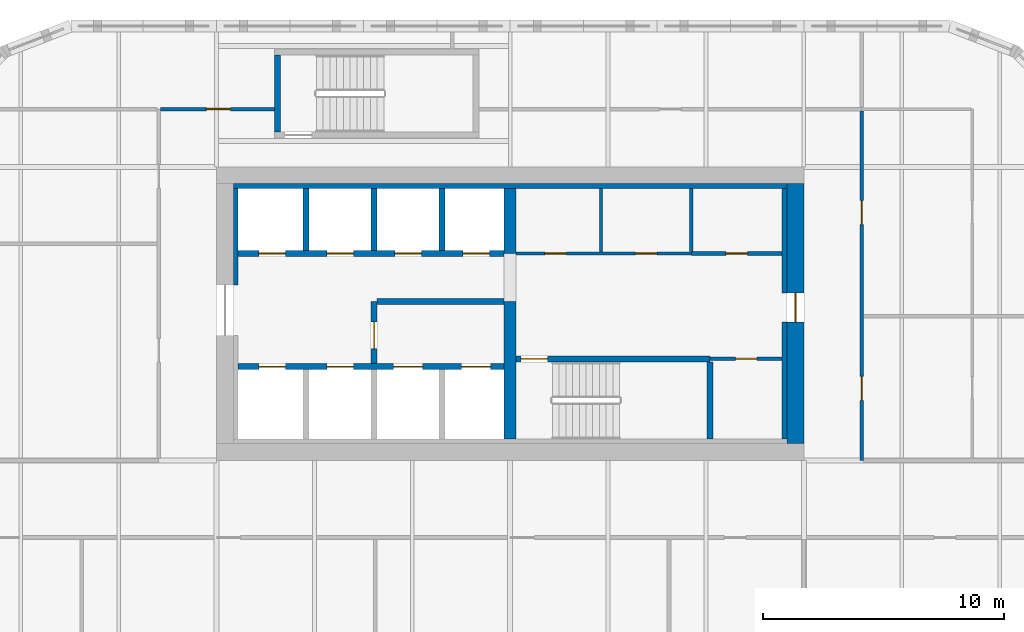
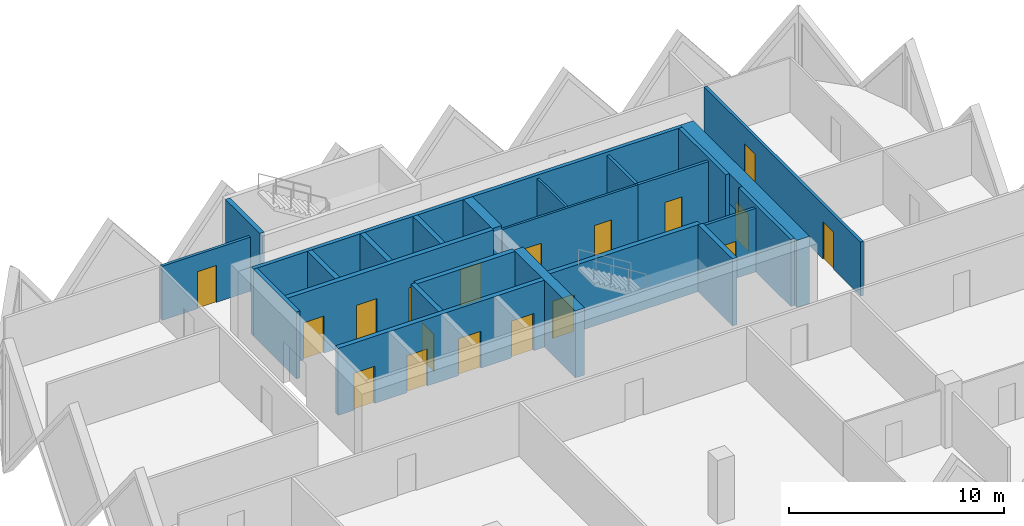
# One storey, part 13 of 18: 24 walls, 18 doors, 18 openings.
"""IFC4 building model written with IfcOpenShell, lengths in metres."""

from ifc_helpers import new_model, si_unit, direction, frame, frame_2d, origin, place, context, subcontext, project, spatial, rectangle, extrude, source, transform, mapped, material, layer, layer_set, type_object, element, fill, save


model = new_model("IFC4")

# Units and contexts
model_context = context("Model", 3, precision=1e-05, world=origin(), true_north=direction((0.0, 1.0)))
body_context = subcontext(model_context, "Body", "Model", "MODEL_VIEW")
ifc_project = project(units=[si_unit("LENGTHUNIT", "METRE"), si_unit("AREAUNIT", "SQUARE_METRE"), si_unit("VOLUMEUNIT", "CUBIC_METRE"), si_unit("PLANEANGLEUNIT", "RADIAN"), si_unit("MASSUNIT", "GRAM", prefix="KILO")], contexts=[model_context])

# Site, building, storey
site_placement = place(None, origin())
site = spatial("IfcSite", under=ifc_project, at=site_placement, CompositionType="ELEMENT")
building_placement = place(site_placement, origin())
building = spatial("IfcBuilding", under=site, at=building_placement, Name="Tessera Gate Towers", CompositionType="ELEMENT")
storey_placement = place(building_placement, frame((0.0, 0.0, 37.199951171875)))
storey = spatial("IfcBuildingStorey", under=building, at=storey_placement, Name="L08", CompositionType="ELEMENT", Elevation=37.199951171875)

# Wall, openings, doors
ifc_material_1 = material(Name="Concrete C40/50", Category="concrete")
ifc_layer_1 = layer(ifc_material_1, 0.25)
ifc_layer_set_1 = layer_set([ifc_layer_1], Name="CORE ENCLOSURE WALL 250")
wall_type_1 = type_object("IfcWallType", Name="CORE ENCLOSURE WALL 250", PredefinedType="SOLIDWALL", material=ifc_layer_set_1)
wall_1_placement = place(storey_placement, frame((98.5, 40.5, 0.0), z_axis=(0.0, 0.0, 1.0), x_axis=(1.0, 0.0, 0.0)))
wall_1 = element("IfcWall", 1, at=wall_1_placement, inside=storey, type_object=wall_type_1, Name="L08 shaft and stair enclosure wall", PredefinedType="SOLIDWALL", context=body_context, shape_type="SweptSolid", body=[
    extrude(rectangle(XDim=11.050048828125, YDim=0.25, at=frame_2d((5.52490234375, 0.0))), origin(), (0.0, 0.0, 1.0), 3.800048828125),
])
shared_shape_1 = source(origin(), body_context, "Body", "SweptSolid", [
    extrude(rectangle(XDim=1.10009765625, YDim=2.10009765625, at=frame_2d((0.550048828125, 1.050048828125))), frame((0.0, 0.135009765625, 0.0), z_axis=(0.0, -1.0, 0.0), x_axis=(1.0, 0.0, 0.0)), (0.0, 0.0, 1.0), 0.27001953125),
])
opening_1_placement = place(wall_1_placement, frame((0.862548828125, 0.0, 0.0)))
opening_1 = element("IfcOpeningElement", 2, at=opening_1_placement, cuts=wall_1, Name="Opening LD-TL1", PredefinedType="OPENING", context=body_context, shape_type="MappedRepresentation", body=[
    mapped(shared_shape_1, transform((0.0, 0.0, 0.0), scale=1.0)),
])
opening_2_placement = place(wall_1_placement, frame((3.6875, 0.0, 0.0)))
opening_2 = element("IfcOpeningElement", 3, at=opening_2_placement, cuts=wall_1, Name="Opening LD-TL2", PredefinedType="OPENING", context=body_context, shape_type="MappedRepresentation", body=[
    mapped(shared_shape_1, transform((0.0, 0.0, 0.0), scale=1.0)),
])
shared_shape_2 = source(origin(), body_context, "Body", "SweptSolid", [
    extrude(rectangle(XDim=1.199951171875, YDim=2.10009765625, at=frame_2d((0.60009765625, 1.050048828125))), frame((0.0, 0.135009765625, 0.0), z_axis=(0.0, -1.0, 0.0), x_axis=(1.0, 0.0, 0.0)), (0.0, 0.0, 1.0), 0.27001953125),
])
opening_3_placement = place(wall_1_placement, frame((6.46240234375, 0.0, 0.0)))
opening_3 = element("IfcOpeningElement", 4, at=opening_3_placement, cuts=wall_1, Name="Opening LD-FF3", PredefinedType="OPENING", context=body_context, shape_type="MappedRepresentation", body=[
    mapped(shared_shape_2, transform((0.0, 0.0, 0.0), scale=1.0)),
])
opening_4_placement = place(wall_1_placement, frame((9.28759765625, 0.0, 0.0)))
opening_4 = element("IfcOpeningElement", 5, at=opening_4_placement, cuts=wall_1, Name="Opening LD-FF4", PredefinedType="OPENING", context=body_context, shape_type="MappedRepresentation", body=[
    mapped(shared_shape_2, transform((0.0, 0.0, 0.0), scale=1.0)),
])
ifc_material_2 = material(Name="Stainless steel", Category="steel")
door_type_1 = type_object("IfcDoorType", Name="CORE DOOR LD1200 1200x2100", OperationType="DOUBLE_DOOR_SLIDING", PredefinedType="DOOR", material=ifc_material_2)
shared_shape_3 = source(origin(), body_context, "Body", "SweptSolid", [
    extrude(rectangle(XDim=1.199951171875, YDim=2.10009765625, at=frame_2d((0.60009765625, 1.050048828125))), frame((0.0, 0.02490234375, 0.0), z_axis=(0.0, -1.0, 0.0), x_axis=(1.0, 0.0, 0.0)), (0.0, 0.0, 1.0), 0.050048828125),
])
door_1_placement = place(opening_3_placement, origin())
door_1 = element("IfcDoor", 6, at=door_1_placement, inside=storey, type_object=door_type_1, Name="Landing door FF3 L08", OperationType="DOUBLE_DOOR_SLIDING", OverallHeight=2.10009765625, OverallWidth=1.199951171875, PredefinedType="DOOR", context=body_context, shape_type="MappedRepresentation", body=[
    mapped(shared_shape_3, transform((0.0, 0.0, 0.0), scale=1.0)),
])
fill(opening_3, door_1)
door_2_placement = place(opening_4_placement, origin())
door_2 = element("IfcDoor", 7, at=door_2_placement, inside=storey, type_object=door_type_1, Name="Landing door FF4 L08", OperationType="DOUBLE_DOOR_SLIDING", OverallHeight=2.10009765625, OverallWidth=1.199951171875, PredefinedType="DOOR", context=body_context, shape_type="MappedRepresentation", body=[
    mapped(shared_shape_3, transform((0.0, 0.0, 0.0), scale=1.0)),
])
fill(opening_4, door_2)
ifc_material_3 = material(Name="Stainless steel", Category="steel")
door_type_2 = type_object("IfcDoorType", Name="CORE DOOR LD 1100x2100", OperationType="DOUBLE_DOOR_SLIDING", PredefinedType="DOOR", material=ifc_material_3)
shared_shape_4 = source(origin(), body_context, "Body", "SweptSolid", [
    extrude(rectangle(XDim=1.10009765625, YDim=2.10009765625, at=frame_2d((0.550048828125, 1.050048828125))), frame((0.0, 0.02490234375, 0.0), z_axis=(0.0, -1.0, 0.0), x_axis=(1.0, 0.0, 0.0)), (0.0, 0.0, 1.0), 0.050048828125),
])
door_3_placement = place(opening_1_placement, origin())
door_3 = element("IfcDoor", 8, at=door_3_placement, inside=storey, type_object=door_type_2, Name="Landing door TL1 L08", OperationType="DOUBLE_DOOR_SLIDING", OverallHeight=2.10009765625, OverallWidth=1.10009765625, PredefinedType="DOOR", context=body_context, shape_type="MappedRepresentation", body=[
    mapped(shared_shape_4, transform((0.0, 0.0, 0.0), scale=1.0)),
])
fill(opening_1, door_3)
door_4_placement = place(opening_2_placement, origin())
door_4 = element("IfcDoor", 9, at=door_4_placement, inside=storey, type_object=door_type_2, Name="Landing door TL2 L08", OperationType="DOUBLE_DOOR_SLIDING", OverallHeight=2.10009765625, OverallWidth=1.10009765625, PredefinedType="DOOR", context=body_context, shape_type="MappedRepresentation", body=[
    mapped(shared_shape_4, transform((0.0, 0.0, 0.0), scale=1.0)),
])
fill(opening_2, door_4)

wall_2_placement = place(storey_placement, frame((109.550048828125, 45.199951171875, 0.0), z_axis=(0.0, 0.0, 1.0), x_axis=(-1.0, 0.0, 0.0)))
wall_2 = element("IfcWall", 10, at=wall_2_placement, inside=storey, type_object=wall_type_1, Name="L08 shaft and stair enclosure wall", PredefinedType="SOLIDWALL", context=body_context, shape_type="SweptSolid", body=[
    extrude(rectangle(XDim=11.050048828125, YDim=0.25, at=frame_2d((5.52490234375, 0.0))), origin(), (0.0, 0.0, 1.0), 3.800048828125),
])
opening_5_placement = place(wall_2_placement, frame((9.08740234375, 0.0, 0.0)))
opening_5 = element("IfcOpeningElement", 11, at=opening_5_placement, cuts=wall_2, Name="Opening LD-TL3", PredefinedType="OPENING", context=body_context, shape_type="MappedRepresentation", body=[
    mapped(shared_shape_1, transform((0.0, 0.0, 0.0), scale=1.0)),
])
opening_6_placement = place(wall_2_placement, frame((6.262451171875, 0.0, 0.0)))
opening_6 = element("IfcOpeningElement", 12, at=opening_6_placement, cuts=wall_2, Name="Opening LD-TL4", PredefinedType="OPENING", context=body_context, shape_type="MappedRepresentation", body=[
    mapped(shared_shape_1, transform((0.0, 0.0, 0.0), scale=1.0)),
])
opening_7_placement = place(wall_2_placement, frame((3.4375, 0.0, 0.0)))
opening_7 = element("IfcOpeningElement", 13, at=opening_7_placement, cuts=wall_2, Name="Opening LD-TL5", PredefinedType="OPENING", context=body_context, shape_type="MappedRepresentation", body=[
    mapped(shared_shape_1, transform((0.0, 0.0, 0.0), scale=1.0)),
])
opening_8_placement = place(wall_2_placement, frame((0.612548828125, 0.0, 0.0)))
opening_8 = element("IfcOpeningElement", 14, at=opening_8_placement, cuts=wall_2, Name="Opening LD-TL6", PredefinedType="OPENING", context=body_context, shape_type="MappedRepresentation", body=[
    mapped(shared_shape_1, transform((0.0, 0.0, 0.0), scale=1.0)),
])
door_5_placement = place(opening_5_placement, origin())
door_5 = element("IfcDoor", 15, at=door_5_placement, inside=storey, type_object=door_type_2, Name="Landing door TL3 L08", OperationType="DOUBLE_DOOR_SLIDING", OverallHeight=2.10009765625, OverallWidth=1.10009765625, PredefinedType="DOOR", context=body_context, shape_type="MappedRepresentation", body=[
    mapped(shared_shape_4, transform((0.0, 0.0, 0.0), scale=1.0)),
])
fill(opening_5, door_5)
door_6_placement = place(opening_6_placement, origin())
door_6 = element("IfcDoor", 16, at=door_6_placement, inside=storey, type_object=door_type_2, Name="Landing door TL4 L08", OperationType="DOUBLE_DOOR_SLIDING", OverallHeight=2.10009765625, OverallWidth=1.10009765625, PredefinedType="DOOR", context=body_context, shape_type="MappedRepresentation", body=[
    mapped(shared_shape_4, transform((0.0, 0.0, 0.0), scale=1.0)),
])
fill(opening_6, door_6)
door_7_placement = place(opening_7_placement, origin())
door_7 = element("IfcDoor", 17, at=door_7_placement, inside=storey, type_object=door_type_2, Name="Landing door TL5 L08", OperationType="DOUBLE_DOOR_SLIDING", OverallHeight=2.10009765625, OverallWidth=1.10009765625, PredefinedType="DOOR", context=body_context, shape_type="MappedRepresentation", body=[
    mapped(shared_shape_4, transform((0.0, 0.0, 0.0), scale=1.0)),
])
fill(opening_7, door_7)
door_8_placement = place(opening_8_placement, origin())
door_8 = element("IfcDoor", 18, at=door_8_placement, inside=storey, type_object=door_type_2, Name="Landing door TL6 L08", OperationType="DOUBLE_DOOR_SLIDING", OverallHeight=2.10009765625, OverallWidth=1.10009765625, PredefinedType="DOOR", context=body_context, shape_type="MappedRepresentation", body=[
    mapped(shared_shape_4, transform((0.0, 0.0, 0.0), scale=1.0)),
])
fill(opening_8, door_8)

# Wall, opening, door
wall_3_placement = place(storey_placement, frame((118.10009765625, 40.824951171875, 0.0), z_axis=(0.0, 0.0, 1.0), x_axis=(-1.0, 0.0, 0.0)))
wall_3 = element("IfcWall", 19, at=wall_3_placement, inside=storey, type_object=wall_type_1, Name="L08 shaft and stair enclosure wall", PredefinedType="SOLIDWALL", context=body_context, shape_type="SweptSolid", body=[
    extrude(rectangle(XDim=8.050048828125, YDim=0.25, at=frame_2d((4.02490234375, 0.0))), origin(), (0.0, 0.0, 1.0), 3.800048828125),
])
opening_9_placement = place(wall_3_placement, frame((6.75, 0.0, 0.0)))
opening_9 = element("IfcOpeningElement", 20, at=opening_9_placement, cuts=wall_3, Name="Opening SD-ST6-1", PredefinedType="OPENING", context=body_context, shape_type="MappedRepresentation", body=[
    mapped(shared_shape_1, transform((0.0, 0.0, 0.0), scale=1.0)),
])
ifc_material_4 = material(Name="Hollow steel fire door", Category="steel")
door_type_3 = type_object("IfcDoorType", Name="CORE DOOR SD1100 1100x2100", OperationType="NOTDEFINED", PredefinedType="DOOR", material=ifc_material_4)
door_9_placement = place(opening_9_placement, origin())
door_9 = element("IfcDoor", 21, at=door_9_placement, inside=storey, type_object=door_type_3, Name="Stair door", OperationType="SINGLE_SWING_RIGHT", OverallHeight=2.10009765625, OverallWidth=1.10009765625, PredefinedType="DOOR", context=body_context, shape_type="MappedRepresentation", body=[
    mapped(shared_shape_4, transform((0.0, 0.0, 0.0), scale=1.0)),
])
fill(opening_9, door_9)

wall_4_placement = place(storey_placement, frame((104.14990234375, 43.199951171875, 0.0), z_axis=(0.0, 0.0, 1.0), x_axis=(0.0, -1.0, 0.0)))
wall_4 = element("IfcWall", 22, at=wall_4_placement, inside=storey, type_object=wall_type_1, Name="L08 shaft and stair enclosure wall", PredefinedType="SOLIDWALL", context=body_context, shape_type="SweptSolid", body=[
    extrude(rectangle(XDim=2.574951171875, YDim=0.25, at=frame_2d((1.28759765625, 0.0))), origin(), (0.0, 0.0, 1.0), 3.800048828125),
])
opening_10_placement = place(wall_4_placement, frame((0.85009765625, 0.0, 0.0)))
opening_10 = element("IfcOpeningElement", 23, at=opening_10_placement, cuts=wall_4, Name="Opening FD-T2-07-03", PredefinedType="OPENING", context=body_context, shape_type="MappedRepresentation", body=[
    mapped(shared_shape_1, transform((0.0, 0.0, 0.0), scale=1.0)),
])
ifc_material_5 = material(Name="Hollow steel fire door", Category="steel")
door_type_4 = type_object("IfcDoorType", Name="CORE DOOR FD 1100x2100", OperationType="NOTDEFINED", PredefinedType="DOOR", material=ifc_material_5)
door_10_placement = place(opening_10_placement, origin())
door_10 = element("IfcDoor", 24, at=door_10_placement, inside=storey, type_object=door_type_4, Name="Fire-fighting lobby door", OperationType="SINGLE_SWING_RIGHT", OverallHeight=2.10009765625, OverallWidth=1.10009765625, PredefinedType="DOOR", context=body_context, shape_type="MappedRepresentation", body=[
    mapped(shared_shape_4, transform((0.0, 0.0, 0.0), scale=1.0)),
])
fill(opening_10, door_10)

# Walls
wall_5_placement = place(storey_placement, frame((104.27490234375, 43.199951171875, 0.0), z_axis=(0.0, 0.0, 1.0), x_axis=(1.0, 0.0, 0.0)))
element("IfcWall", 25, at=wall_5_placement, inside=storey, type_object=wall_type_1, Name="L08 shaft and stair enclosure wall", PredefinedType="SOLIDWALL", context=body_context, shape_type="SweptSolid", body=[
    extrude(rectangle(XDim=5.275146484375, YDim=0.25, at=frame_2d((2.6376953125, 0.0))), origin(), (0.0, 0.0, 1.0), 3.800048828125),
])
wall_6_placement = place(storey_placement, frame((118.10009765625, 37.5, 0.0), z_axis=(0.0, 0.0, 1.0), x_axis=(0.0, 1.0, 0.0)))
element("IfcWall", 26, at=wall_6_placement, inside=storey, type_object=wall_type_1, Name="L08 shaft and stair enclosure wall", PredefinedType="SOLIDWALL", context=body_context, shape_type="SweptSolid", body=[
    extrude(rectangle(XDim=3.199951171875, YDim=0.25, at=frame_2d((1.60009765625, 0.0))), origin(), (0.0, 0.0, 1.0), 3.800048828125),
])
for number, where, z_axis, x_axis, name in (
    (27, (101.324951171875, 45.324951171875, 0.0), (0.0, 0.0, 1.0), (0.0, 1.0, 0.0), "L08 shaft and stair enclosure wall"),
    (28, (104.14990234375, 45.324951171875, 0.0), (0.0, 0.0, 1.0), (0.0, 1.0, 0.0), "L08 shaft and stair enclosure wall"),
    (29, (106.97509765625, 45.324951171875, 0.0), (0.0, 0.0, 1.0), (0.0, 1.0, 0.0), "L08 shaft and stair enclosure wall"),
):
    element("IfcWall", number, at=place(storey_placement, frame(where, z_axis=z_axis, x_axis=x_axis)), inside=storey, type_object=wall_type_1, Name=name, PredefinedType="SOLIDWALL", context=body_context, shape_type="SweptSolid", body=[
        extrude(rectangle(XDim=2.574951171875, YDim=0.25, at=frame_2d((1.28759765625, 0.0))), origin(), (0.0, 0.0, 1.0), 3.800048828125),
    ])
wall_7_placement = place(storey_placement, frame((100.125, 50.25, 0.0), z_axis=(0.0, 0.0, 1.0), x_axis=(0.0, 1.0, 0.0)))
element("IfcWall", 30, at=wall_7_placement, inside=storey, type_object=wall_type_1, Name="L08 ST7 enclosure wall", PredefinedType="SOLIDWALL", context=body_context, shape_type="SweptSolid", body=[
    extrude(rectangle(XDim=3.199951171875, YDim=0.25, at=frame_2d((1.60009765625, 0.0))), origin(), (0.0, 0.0, 1.0), 3.800048828125),
])

# Wall, openings, doors
ifc_material_6 = material(Name="Gypsum board on steel studs", Category="steel")
ifc_layer_2 = layer(ifc_material_6, 0.1201171875)
ifc_layer_set_2 = layer_set([ifc_layer_2], Name="CORE PARTITION 120")
wall_type_2 = type_object("IfcWallType", Name="CORE PARTITION 120", PredefinedType="PARTITIONING", material=ifc_layer_set_2)
wall_8_placement = place(storey_placement, frame((110.050048828125, 45.199951171875, 0.0), z_axis=(0.0, 0.0, 1.0), x_axis=(1.0, 0.0, 0.0)))
wall_8 = element("IfcWall", 31, at=wall_8_placement, inside=storey, type_object=wall_type_2, Name="L08 core partition", PredefinedType="PARTITIONING", context=body_context, shape_type="SweptSolid", body=[
    extrude(rectangle(XDim=7.27490234375, YDim=0.1201171875, at=frame_2d((3.637451171875, 0.0))), origin(), (0.0, 0.0, 1.0), 3.60009765625),
])
shared_shape_5 = source(origin(), body_context, "Body", "SweptSolid", [
    extrude(rectangle(XDim=0.89990234375, YDim=2.10009765625, at=frame_2d((0.449951171875, 1.050048828125))), frame((0.0, 0.070068359375, 0.0), z_axis=(0.0, -1.0, 0.0), x_axis=(1.0, 0.0, 0.0)), (0.0, 0.0, 1.0), 0.14013671875),
])
opening_11_placement = place(wall_8_placement, frame((1.1875, 0.0, 0.0)))
opening_11 = element("IfcOpeningElement", 32, at=opening_11_placement, cuts=wall_8, Name="Opening RD-T2-07-04", PredefinedType="OPENING", context=body_context, shape_type="MappedRepresentation", body=[
    mapped(shared_shape_5, transform((0.0, 0.0, 0.0), scale=1.0)),
])
opening_12_placement = place(wall_8_placement, frame((4.949951171875, 0.0, 0.0)))
opening_12 = element("IfcOpeningElement", 33, at=opening_12_placement, cuts=wall_8, Name="Opening RD-T2-07-05", PredefinedType="OPENING", context=body_context, shape_type="MappedRepresentation", body=[
    mapped(shared_shape_5, transform((0.0, 0.0, 0.0), scale=1.0)),
])
ifc_material_7 = material(Name="Hollow steel fire door", Category="steel")
door_type_5 = type_object("IfcDoorType", Name="CORE DOOR RD 900x2100", OperationType="NOTDEFINED", PredefinedType="DOOR", material=ifc_material_7)
shared_shape_6 = source(origin(), body_context, "Body", "SweptSolid", [
    extrude(rectangle(XDim=0.89990234375, YDim=2.10009765625, at=frame_2d((0.449951171875, 1.050048828125))), frame((0.0, 0.02490234375, 0.0), z_axis=(0.0, -1.0, 0.0), x_axis=(1.0, 0.0, 0.0)), (0.0, 0.0, 1.0), 0.050048828125),
])
door_11_placement = place(opening_11_placement, origin())
door_11 = element("IfcDoor", 34, at=door_11_placement, inside=storey, type_object=door_type_5, Name="Core room door", OperationType="SINGLE_SWING_LEFT", OverallHeight=2.10009765625, OverallWidth=0.89990234375, PredefinedType="DOOR", context=body_context, shape_type="MappedRepresentation", body=[
    mapped(shared_shape_6, transform((0.0, 0.0, 0.0), scale=1.0)),
])
fill(opening_11, door_11)
door_12_placement = place(opening_12_placement, origin())
door_12 = element("IfcDoor", 35, at=door_12_placement, inside=storey, type_object=door_type_5, Name="Core room door", OperationType="SINGLE_SWING_RIGHT", OverallHeight=2.10009765625, OverallWidth=0.89990234375, PredefinedType="DOOR", context=body_context, shape_type="MappedRepresentation", body=[
    mapped(shared_shape_6, transform((0.0, 0.0, 0.0), scale=1.0)),
])
fill(opening_12, door_12)

# Wall
wall_9_placement = place(storey_placement, frame((113.574951171875, 45.260009765625, 0.0), z_axis=(0.0, 0.0, 1.0), x_axis=(0.0, 1.0, 0.0)))
element("IfcWall", 36, at=wall_9_placement, inside=storey, type_object=wall_type_2, Name="L08 core partition", PredefinedType="PARTITIONING", context=body_context, shape_type="SweptSolid", body=[
    extrude(rectangle(XDim=2.639892578125, YDim=0.1201171875, at=frame_2d((1.31982421875, 0.0))), origin(), (0.0, 0.0, 1.0), 3.60009765625),
])

# Wall, opening, door
ifc_material_8 = material(Name="Concrete C60/75", Category="concrete")
ifc_layer_3 = layer(ifc_material_8, 0.699951171875)
ifc_layer_set_3 = layer_set([ifc_layer_3], Name="CORE SHEAR WALL 700 C60/75")
wall_type_3 = type_object("IfcWallType", Name="CORE SHEAR WALL 700 C60/75", PredefinedType="SHEAR", material=ifc_layer_set_3)
wall_10_placement = place(storey_placement, frame((121.64990234375, 48.10009765625, 0.0), z_axis=(0.0, 0.0, 1.0), x_axis=(0.0, -1.0, 0.0)))
wall_10 = element("IfcWall", 37, at=wall_10_placement, inside=storey, type_object=wall_type_3, Name="Core wall E L08", PredefinedType="SHEAR", context=body_context, shape_type="SweptSolid", body=[
    extrude(rectangle(XDim=10.800048828125, YDim=0.699951171875, at=frame_2d((5.39990234375, 0.0))), origin(), (0.0, 0.0, 1.0), 3.800048828125),
])
shared_shape_7 = source(origin(), body_context, "Body", "SweptSolid", [
    extrude(rectangle(XDim=1.199951171875, YDim=2.10009765625, at=frame_2d((0.60009765625, 1.050048828125))), frame((0.0, 0.35986328125, 0.0), z_axis=(0.0, -1.0, 0.0), x_axis=(1.0, 0.0, 0.0)), (0.0, 0.0, 1.0), 0.719970703125),
])
opening_13_placement = place(wall_10_placement, frame((4.550048828125, 0.0, 0.0)))
opening_13 = element("IfcOpeningElement", 38, at=opening_13_placement, cuts=wall_10, Name="Opening ED-T2-07-02", PredefinedType="OPENING", context=body_context, shape_type="MappedRepresentation", body=[
    mapped(shared_shape_7, transform((0.0, 0.0, 0.0), scale=1.0)),
])
ifc_material_9 = material(Name="Hollow steel fire door", Category="steel")
door_type_6 = type_object("IfcDoorType", Name="CORE DOOR ED 1200x2100", OperationType="NOTDEFINED", PredefinedType="DOOR", material=ifc_material_9)
door_13_placement = place(opening_13_placement, origin())
door_13 = element("IfcDoor", 39, at=door_13_placement, inside=storey, type_object=door_type_6, Name="Core exit door", OperationType="SINGLE_SWING_LEFT", OverallHeight=2.10009765625, OverallWidth=1.199951171875, PredefinedType="DOOR", context=body_context, shape_type="MappedRepresentation", body=[
    mapped(shared_shape_3, transform((0.0, 0.0, 0.0), scale=1.0)),
])
fill(opening_13, door_13)

# Walls
ifc_material_10 = material(Name="Concrete C60/75", Category="concrete")
ifc_layer_4 = layer(ifc_material_10, 0.5)
ifc_layer_set_4 = layer_set([ifc_layer_4], Name="CORE SPINE WALL 500 C60/75")
wall_type_4 = type_object("IfcWallType", Name="CORE SPINE WALL 500 C60/75", PredefinedType="SHEAR", material=ifc_layer_set_4)
wall_11_placement = place(storey_placement, frame((109.800048828125, 37.5, 0.0), z_axis=(0.0, 0.0, 1.0), x_axis=(0.0, 1.0, 0.0)))
element("IfcWall", 40, at=wall_11_placement, inside=storey, type_object=wall_type_4, Name="Core wall spine L08", PredefinedType="SHEAR", context=body_context, shape_type="SweptSolid", body=[
    extrude(rectangle(XDim=5.699951171875, YDim=0.5, at=frame_2d((2.85009765625, 0.0))), origin(), (0.0, 0.0, 1.0), 3.800048828125),
])
wall_12_placement = place(storey_placement, frame((109.800048828125, 45.199951171875, 0.0), z_axis=(0.0, 0.0, 1.0), x_axis=(0.0, 1.0, 0.0)))
element("IfcWall", 41, at=wall_12_placement, inside=storey, type_object=wall_type_4, Name="Core wall spine L08", PredefinedType="SHEAR", context=body_context, shape_type="SweptSolid", body=[
    extrude(rectangle(XDim=2.699951171875, YDim=0.5, at=frame_2d((1.35009765625, 0.0))), origin(), (0.0, 0.0, 1.0), 3.800048828125),
])
ifc_material_11 = material(Name="Concrete C60/75", Category="concrete")
ifc_layer_5 = layer(ifc_material_11, 0.199951171875)
ifc_layer_set_5 = layer_set([ifc_layer_5], Name="CORE WALL THICKENING 200")
wall_type_5 = type_object("IfcWallType", Name="CORE WALL THICKENING 200", PredefinedType="SOLIDWALL", material=ifc_layer_set_5)
wall_13_placement = place(storey_placement, frame((98.300048828125, 48.0, 0.0), z_axis=(0.0, 0.0, 1.0), x_axis=(1.0, 0.0, 0.0)))
element("IfcWall", 42, at=wall_13_placement, inside=storey, type_object=wall_type_5, Name="Core wall thickening N L08", PredefinedType="SOLIDWALL", context=body_context, shape_type="SweptSolid", body=[
    extrude(rectangle(XDim=23.0, YDim=0.199951171875, at=frame_2d((11.5, 0.0))), origin(), (0.0, 0.0, 1.0), 3.800048828125),
])
wall_14_placement = place(storey_placement, frame((98.39990234375, 43.89990234375, 0.0), z_axis=(0.0, 0.0, 1.0), x_axis=(0.0, 1.0, 0.0)))
element("IfcWall", 43, at=wall_14_placement, inside=storey, type_object=wall_type_5, Name="Core wall thickening W L08", PredefinedType="SOLIDWALL", context=body_context, shape_type="SweptSolid", body=[
    extrude(rectangle(XDim=4.0, YDim=0.199951171875, at=frame_2d((2.0, 0.0))), origin(), (0.0, 0.0, 1.0), 3.800048828125),
])
wall_15_placement = place(storey_placement, frame((121.199951171875, 37.5, 0.0), z_axis=(0.0, 0.0, 1.0), x_axis=(0.0, 1.0, 0.0)))
element("IfcWall", 44, at=wall_15_placement, inside=storey, type_object=wall_type_5, Name="Core wall thickening E L08", PredefinedType="SOLIDWALL", context=body_context, shape_type="SweptSolid", body=[
    extrude(rectangle(XDim=4.85009765625, YDim=0.199951171875, at=frame_2d((2.425048828125, 0.0))), origin(), (0.0, 0.0, 1.0), 3.800048828125),
])
wall_16_placement = place(storey_placement, frame((121.199951171875, 43.550048828125, 0.0), z_axis=(0.0, 0.0, 1.0), x_axis=(0.0, 1.0, 0.0)))
element("IfcWall", 45, at=wall_16_placement, inside=storey, type_object=wall_type_5, Name="Core wall thickening E L08", PredefinedType="SOLIDWALL", context=body_context, shape_type="SweptSolid", body=[
    extrude(rectangle(XDim=4.349853515625, YDim=0.199951171875, at=frame_2d((2.1748046875, 0.0))), origin(), (0.0, 0.0, 1.0), 3.800048828125),
])

# Wall, openings, doors
ifc_material_12 = material(Name="Gypsum board on steel studs, mineral wool", Category="steel")
ifc_layer_6 = layer(ifc_material_12, 0.14990234375)
ifc_layer_set_6 = layer_set([ifc_layer_6], Name="CORRIDOR WALL 150")
wall_type_6 = type_object("IfcWallType", Name="CORRIDOR WALL 150", PredefinedType="PARTITIONING", material=ifc_layer_set_6)
wall_17_placement = place(storey_placement, frame((124.39990234375, 51.1240234375, 0.0), z_axis=(0.0, 0.0, 1.0), x_axis=(0.0, -1.0, 0.0)))
wall_17 = element("IfcWall", 46, at=wall_17_placement, inside=storey, type_object=wall_type_6, Name="T2-L08-PW-013", PredefinedType="PARTITIONING", context=body_context, shape_type="SweptSolid", body=[
    extrude(rectangle(XDim=14.52392578125, YDim=0.14990234375, at=frame_2d((7.261962890625, 0.0))), origin(), (0.0, 0.0, 1.0), 3.067138671875),
])
shared_shape_8 = source(origin(), body_context, "Body", "SweptSolid", [
    extrude(rectangle(XDim=1.0, YDim=2.10009765625, at=frame_2d((0.5, 1.050048828125))), frame((0.0, 0.0849609375, 0.0), z_axis=(0.0, -1.0, 0.0), x_axis=(1.0, 0.0, 0.0)), (0.0, 0.0, 1.0), 0.169921875),
])
opening_14_placement = place(wall_17_placement, frame((3.72412109375, 0.0, 0.0)))
opening_14 = element("IfcOpeningElement", 47, at=opening_14_placement, cuts=wall_17, Name="Opening D2100FD60-B04-03", PredefinedType="OPENING", context=body_context, shape_type="MappedRepresentation", body=[
    mapped(shared_shape_8, transform((0.0, 0.0, 0.0), scale=1.0)),
])
opening_15_placement = place(wall_17_placement, frame((11.02392578125, 0.0, 0.0)))
opening_15 = element("IfcOpeningElement", 48, at=opening_15_placement, cuts=wall_17, Name="Opening D2100FD60-B04-04", PredefinedType="OPENING", context=body_context, shape_type="MappedRepresentation", body=[
    mapped(shared_shape_8, transform((0.0, 0.0, 0.0), scale=1.0)),
])
ifc_material_13 = material(Name="Timber door leaf in steel frame", Category="steel")
door_type_7 = type_object("IfcDoorType", Name="TENANCY ENTRANCE DOOR 1000 FD60", OperationType="NOTDEFINED", PredefinedType="DOOR", material=ifc_material_13)
shared_shape_9 = source(origin(), body_context, "Body", "SweptSolid", [
    extrude(rectangle(XDim=1.0, YDim=2.10009765625, at=frame_2d((0.5, 1.050048828125))), frame((0.0, 0.02490234375, 0.0), z_axis=(0.0, -1.0, 0.0), x_axis=(1.0, 0.0, 0.0)), (0.0, 0.0, 1.0), 0.050048828125),
])
door_14_placement = place(opening_14_placement, origin())
door_14 = element("IfcDoor", 49, at=door_14_placement, inside=storey, type_object=door_type_7, Name="T2-L08-PD-010", OperationType="SINGLE_SWING_RIGHT", OverallHeight=2.10009765625, OverallWidth=1.0, PredefinedType="DOOR", context=body_context, shape_type="MappedRepresentation", body=[
    mapped(shared_shape_9, transform((0.0, 0.0, 0.0), scale=1.0)),
])
fill(opening_14, door_14)
door_15_placement = place(opening_15_placement, origin())
door_15 = element("IfcDoor", 50, at=door_15_placement, inside=storey, type_object=door_type_7, Name="T2-L08-PD-011", OperationType="SINGLE_SWING_RIGHT", OverallHeight=2.10009765625, OverallWidth=1.0, PredefinedType="DOOR", context=body_context, shape_type="MappedRepresentation", body=[
    mapped(shared_shape_9, transform((0.0, 0.0, 0.0), scale=1.0)),
])
fill(opening_15, door_15)

# Wall, opening, door
wall_18_placement = place(storey_placement, frame((95.27587890625, 51.199951171875, 0.0), z_axis=(0.0, 0.0, 1.0), x_axis=(1.0, 0.0, 0.0)))
wall_18 = element("IfcWall", 51, at=wall_18_placement, inside=storey, type_object=wall_type_6, Name="T2-L08-PW-021", PredefinedType="PARTITIONING", context=body_context, shape_type="SweptSolid", body=[
    extrude(rectangle(XDim=4.72412109375, YDim=0.14990234375, at=frame_2d((2.362060546875, 0.0))), origin(), (0.0, 0.0, 1.0), 3.067138671875),
])
opening_16_placement = place(wall_18_placement, frame((1.89990234375, 0.0, 0.0)))
opening_16 = element("IfcOpeningElement", 52, at=opening_16_placement, cuts=wall_18, Name="Opening D2100FD60-B04-01", PredefinedType="OPENING", context=body_context, shape_type="MappedRepresentation", body=[
    mapped(shared_shape_8, transform((0.0, 0.0, 0.0), scale=1.0)),
])
door_16_placement = place(opening_16_placement, origin())
door_16 = element("IfcDoor", 53, at=door_16_placement, inside=storey, type_object=door_type_7, Name="T2-L08-PD-001", OperationType="SINGLE_SWING_LEFT", OverallHeight=2.10009765625, OverallWidth=1.0, PredefinedType="DOOR", context=body_context, shape_type="MappedRepresentation", body=[
    mapped(shared_shape_9, transform((0.0, 0.0, 0.0), scale=1.0)),
])
fill(opening_16, door_16)

ifc_material_14 = material(Name="Gypsum board on steel studs", Category="steel")
ifc_layer_7 = layer(ifc_material_14, 0.14990234375)
ifc_layer_set_7 = layer_set([ifc_layer_7], Name="SERVICE ROOM WALL 150")
wall_type_7 = type_object("IfcWallType", Name="SERVICE ROOM WALL 150", PredefinedType="PARTITIONING", material=ifc_layer_set_7)
wall_19_placement = place(storey_placement, frame((117.324951171875, 45.199951171875, 0.0), z_axis=(0.0, 0.0, 1.0), x_axis=(1.0, 0.0, 0.0)))
wall_19 = element("IfcWall", 54, at=wall_19_placement, inside=storey, type_object=wall_type_7, Name="L08 service room wall", PredefinedType="PARTITIONING", context=body_context, shape_type="SweptSolid", body=[
    extrude(rectangle(XDim=3.775146484375, YDim=0.14990234375, at=frame_2d((1.8876953125, 0.0))), origin(), (0.0, 0.0, 1.0), 3.60009765625),
])
shared_shape_10 = source(origin(), body_context, "Body", "SweptSolid", [
    extrude(rectangle(XDim=0.89990234375, YDim=2.10009765625, at=frame_2d((0.449951171875, 1.050048828125))), frame((0.0, 0.0849609375, 0.0), z_axis=(0.0, -1.0, 0.0), x_axis=(1.0, 0.0, 0.0)), (0.0, 0.0, 1.0), 0.169921875),
])
opening_17_placement = place(wall_19_placement, frame((1.4375, 0.0, 0.0)))
opening_17 = element("IfcOpeningElement", 55, at=opening_17_placement, cuts=wall_19, Name="Opening RD-T2-07-06", PredefinedType="OPENING", context=body_context, shape_type="MappedRepresentation", body=[
    mapped(shared_shape_10, transform((0.0, 0.0, 0.0), scale=1.0)),
])
door_17_placement = place(opening_17_placement, origin())
door_17 = element("IfcDoor", 56, at=door_17_placement, inside=storey, type_object=door_type_5, Name="Core room door", OperationType="SINGLE_SWING_RIGHT", OverallHeight=2.10009765625, OverallWidth=0.89990234375, PredefinedType="DOOR", context=body_context, shape_type="MappedRepresentation", body=[
    mapped(shared_shape_6, transform((0.0, 0.0, 0.0), scale=1.0)),
])
fill(opening_17, door_17)

wall_20_placement = place(storey_placement, frame((121.10009765625, 40.824951171875, 0.0), z_axis=(0.0, 0.0, 1.0), x_axis=(-1.0, 0.0, 0.0)))
wall_20 = element("IfcWall", 57, at=wall_20_placement, inside=storey, type_object=wall_type_7, Name="L08 service room wall", PredefinedType="PARTITIONING", context=body_context, shape_type="SweptSolid", body=[
    extrude(rectangle(XDim=3.0, YDim=0.14990234375, at=frame_2d((1.5, 0.0))), origin(), (0.0, 0.0, 1.0), 3.60009765625),
])
opening_18_placement = place(wall_20_placement, frame((1.050048828125, 0.0, 0.0)))
opening_18 = element("IfcOpeningElement", 58, at=opening_18_placement, cuts=wall_20, Name="Opening RD-T2-07-07", PredefinedType="OPENING", context=body_context, shape_type="MappedRepresentation", body=[
    mapped(shared_shape_10, transform((0.0, 0.0, 0.0), scale=1.0)),
])
door_18_placement = place(opening_18_placement, origin())
door_18 = element("IfcDoor", 59, at=door_18_placement, inside=storey, type_object=door_type_5, Name="Core room door", OperationType="SINGLE_SWING_RIGHT", OverallHeight=2.10009765625, OverallWidth=0.89990234375, PredefinedType="DOOR", context=body_context, shape_type="MappedRepresentation", body=[
    mapped(shared_shape_6, transform((0.0, 0.0, 0.0), scale=1.0)),
])
fill(opening_18, door_18)

# Wall
wall_21_placement = place(storey_placement, frame((117.324951171875, 45.27490234375, 0.0), z_axis=(0.0, 0.0, 1.0), x_axis=(0.0, 1.0, 0.0)))
element("IfcWall", 60, at=wall_21_placement, inside=storey, type_object=wall_type_7, Name="L08 service room wall", PredefinedType="PARTITIONING", context=body_context, shape_type="SweptSolid", body=[
    extrude(rectangle(XDim=2.625, YDim=0.14990234375, at=frame_2d((1.3125, 0.0))), origin(), (0.0, 0.0, 1.0), 3.60009765625),
])

save(model, "model.ifc")
